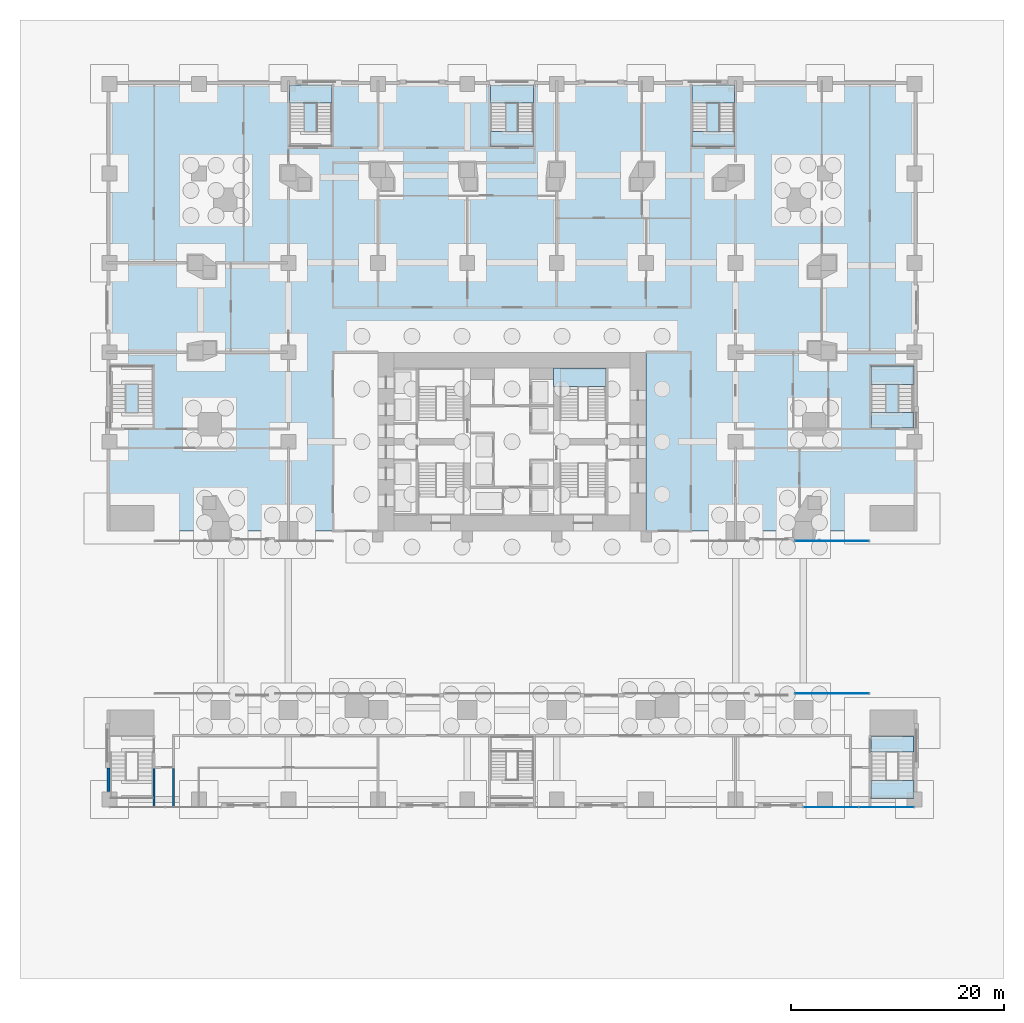
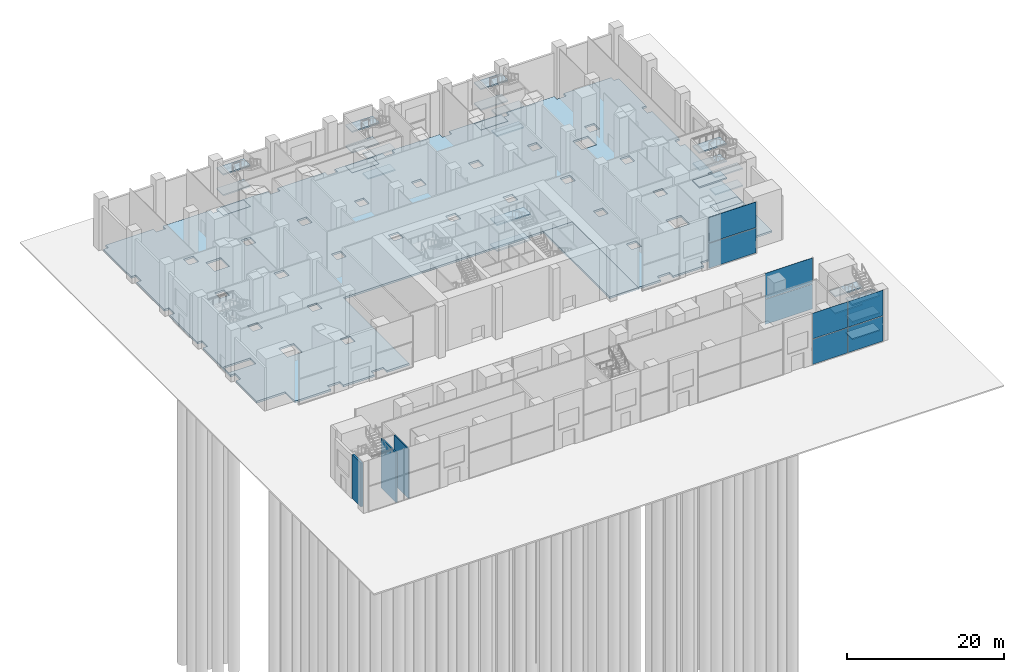
# One storey, part 12 of 31: 29 slabs, 8 plates, 3 walls, 9 elements without a shape of their own.
"""IFC4 building model written with IfcOpenShell, lengths in metres."""

from ifc_helpers import new_model, si_unit, direction, frame, frame_2d, origin, origin_2d, place, context, subcontext, project, spatial, polyline, rectangle, outline, extrude, material, layer, layer_set, type_object, element, aggregate, save


model = new_model("IFC4")

# Units and contexts
model_context = context("Model", 3, precision=1e-05, world=origin(), true_north=direction((0.0, 1.0)))
body_context = subcontext(model_context, "Body", "Model", "MODEL_VIEW")
ifc_project = project(units=[si_unit("LENGTHUNIT", "METRE"), si_unit("AREAUNIT", "SQUARE_METRE"), si_unit("VOLUMEUNIT", "CUBIC_METRE"), si_unit("PLANEANGLEUNIT", "RADIAN"), si_unit("MASSUNIT", "GRAM", prefix="KILO")], contexts=[model_context])

# Site, building, storey
site_placement = place(None, origin())
site = spatial("IfcSite", under=ifc_project, at=site_placement, CompositionType="ELEMENT")
building_placement = place(site_placement, origin())
building = spatial("IfcBuilding", under=site, at=building_placement, Name="Marenta Gate Hotel Tower", CompositionType="ELEMENT")
storey_placement = place(building_placement, origin())
storey = spatial("IfcBuildingStorey", under=building, at=storey_placement, Name="L00", CompositionType="ELEMENT", Elevation=0.0)

# Slab
ifc_material_1 = material(Name="Concrete C40", Category="concrete")
ifc_layer_1 = layer(ifc_material_1, 0.300048828125)
ifc_layer_set_1 = layer_set([ifc_layer_1], Name="Concrete C40")
slab_type_1 = type_object("IfcSlabType", Name="Core floor slab 300", PredefinedType="FLOOR", material=ifc_layer_set_1)
slab_1_placement = place(storey_placement, frame((0.0, 0.0, -0.300048828125)))
element("IfcSlab", 1, at=slab_1_placement, inside=storey, type_object=slab_type_1, Name="L00-CF-1", PredefinedType="FLOOR", context=body_context, shape_type="SweptSolid", body=[
    extrude(outline(polyline([(12.60009765625, 0.0), (12.60009765625, 16.800048828125), (16.800048828125, 16.800048828125), (16.800048828125, 0.0), (12.60009765625, 0.0)])), origin(), (0.0, 0.0, 1.0), 0.300048828125),
])

# Stair, slabs
ifc_material_2 = material(Name="Concrete C40", Category="concrete")
stair_type_1 = type_object("IfcStairType", Name="Core exit stair 1700 wide", PredefinedType="HALF_TURN_STAIR", material=ifc_material_2)
stair_1_placement = place(storey_placement, origin())
stair_1 = element("IfcStair", 2, at=stair_1_placement, inside=storey, type_object=stair_type_1, Name="Exit stair 4", PredefinedType="HALF_TURN_STAIR")
ifc_material_3 = material(Name="Concrete C40", Category="concrete")
ifc_layer_2 = layer(ifc_material_3, 0.199951171875)
ifc_layer_set_2 = layer_set([ifc_layer_2], Name="Concrete C40")
slab_type_2 = type_object("IfcSlabType", Name="Core stair landing 200", PredefinedType="LANDING", material=ifc_layer_set_2)
slab_2_placement = place(storey_placement, frame((0.0, 0.0, 1.800048828125)))
slab_2 = element("IfcSlab", 3, at=slab_2_placement, type_object=slab_type_2, Name="SL-200 ST4 landing 1", PredefinedType="LANDING", context=body_context, shape_type="SweptSolid", body=[
    extrude(outline(polyline([(3.89990234375, 13.590087890625), (8.85009765625, 13.590087890625), (8.85009765625, 15.300048828125), (3.89990234375, 15.300048828125), (3.89990234375, 13.590087890625)])), origin(), (0.0, 0.0, 1.0), 0.199951171875),
])
slab_3_placement = place(storey_placement, frame((0.0, 0.0, 5.800048828125)))
slab_3 = element("IfcSlab", 4, at=slab_3_placement, type_object=slab_type_2, Name="SL-200 ST4 landing 3", PredefinedType="LANDING", context=body_context, shape_type="SweptSolid", body=[
    extrude(outline(polyline([(3.89990234375, 13.590087890625), (8.85009765625, 13.590087890625), (8.85009765625, 15.300048828125), (3.89990234375, 15.300048828125), (3.89990234375, 13.590087890625)])), origin(), (0.0, 0.0, 1.0), 0.199951171875),
])
aggregate(stair_1, [slab_2, slab_3])

ifc_material_4 = material(Name="Concrete C40", Category="concrete")
stair_type_2 = type_object("IfcStairType", Name="Podium exit stair 1430 wide", PredefinedType="HALF_TURN_STAIR", material=ifc_material_4)
stair_2_placement = place(storey_placement, origin())
stair_2 = element("IfcStair", 5, at=stair_2_placement, inside=storey, type_object=stair_type_2, Name="Podium exit stair 2", PredefinedType="HALF_TURN_STAIR")
slab_4_placement = place(storey_placement, frame((0.0, 0.0, 1.13330078125)))
slab_4 = element("IfcSlab", 6, at=slab_4_placement, type_object=slab_type_2, Name="SL-200 PX2 landing 1", PredefinedType="LANDING", context=body_context, shape_type="SweptSolid", body=[
    extrude(outline(polyline([(33.699951171875, -25.10009765625), (37.739990234375, -25.10009765625), (37.739990234375, -23.389892578125), (33.699951171875, -23.389892578125), (33.699951171875, -25.10009765625)])), origin(), (0.0, 0.0, 1.0), 0.199951171875),
])
slab_5_placement = place(storey_placement, frame((0.0, 0.0, 2.466552734375)))
slab_5 = element("IfcSlab", 7, at=slab_5_placement, type_object=slab_type_2, Name="SL-200 PX2 landing 2", PredefinedType="LANDING", context=body_context, shape_type="SweptSolid", body=[
    extrude(outline(polyline([(33.699951171875, -20.72998046875), (37.739990234375, -20.72998046875), (37.739990234375, -19.300048828125), (33.699951171875, -19.300048828125), (33.699951171875, -20.72998046875)])), origin(), (0.0, 0.0, 1.0), 0.2001953125),
])
slab_6_placement = place(storey_placement, frame((0.0, 0.0, 3.800048828125)))
slab_6 = element("IfcSlab", 8, at=slab_6_placement, type_object=slab_type_2, Name="SL-200 PX2 landing 3", PredefinedType="LANDING", context=body_context, shape_type="SweptSolid", body=[
    extrude(outline(polyline([(33.699951171875, -25.10009765625), (37.739990234375, -25.10009765625), (37.739990234375, -23.389892578125), (33.699951171875, -23.389892578125), (33.699951171875, -25.10009765625)])), origin(), (0.0, 0.0, 1.0), 0.199951171875),
])
slab_7_placement = place(storey_placement, frame((0.0, 0.0, 5.13330078125)))
slab_7 = element("IfcSlab", 9, at=slab_7_placement, type_object=slab_type_2, Name="SL-200 PX2 landing 4", PredefinedType="LANDING", context=body_context, shape_type="SweptSolid", body=[
    extrude(outline(polyline([(33.699951171875, -20.72998046875), (37.739990234375, -20.72998046875), (37.739990234375, -19.300048828125), (33.699951171875, -19.300048828125), (33.699951171875, -20.72998046875)])), origin(), (0.0, 0.0, 1.0), 0.199951171875),
])
slab_8_placement = place(storey_placement, frame((0.0, 0.0, 6.466552734375)))
slab_8 = element("IfcSlab", 10, at=slab_8_placement, type_object=slab_type_2, Name="SL-200 PX2 landing 5", PredefinedType="LANDING", context=body_context, shape_type="SweptSolid", body=[
    extrude(outline(polyline([(33.699951171875, -25.10009765625), (37.739990234375, -25.10009765625), (37.739990234375, -23.389892578125), (33.699951171875, -23.389892578125), (33.699951171875, -25.10009765625)])), origin(), (0.0, 0.0, 1.0), 0.2001953125),
])
aggregate(stair_2, [slab_4, slab_5, slab_6, slab_7, slab_8])

stair_3_placement = place(storey_placement, origin())
stair_3 = element("IfcStair", 11, at=stair_3_placement, inside=storey, type_object=stair_type_2, Name="Podium exit stair 3", PredefinedType="HALF_TURN_STAIR")
slab_9_placement = place(storey_placement, frame((0.0, 0.0, 3.0)))
slab_9 = element("IfcSlab", 12, at=slab_9_placement, type_object=slab_type_2, Name="SL-200 PX3 landing 2", PredefinedType="LANDING", context=body_context, shape_type="SweptSolid", body=[
    extrude(outline(polyline([(-20.89990234375, 40.18505859375), (-16.89990234375, 40.18505859375), (-16.89990234375, 41.89990234375), (-20.89990234375, 41.89990234375), (-20.89990234375, 40.18505859375)])), origin(), (0.0, 0.0, 1.0), 0.199951171875),
])
slab_10_placement = place(storey_placement, frame((0.0, 0.0, 6.199951171875)))
slab_10 = element("IfcSlab", 13, at=slab_10_placement, type_object=slab_type_2, Name="SL-200 PX3 landing 4", PredefinedType="LANDING", context=body_context, shape_type="SweptSolid", body=[
    extrude(outline(polyline([(-20.89990234375, 40.18505859375), (-16.89990234375, 40.18505859375), (-16.89990234375, 41.89990234375), (-20.89990234375, 41.89990234375), (-20.89990234375, 40.18505859375)])), origin(), (0.0, 0.0, 1.0), 0.199951171875),
])
aggregate(stair_3, [slab_9, slab_10])

stair_4_placement = place(storey_placement, origin())
stair_4 = element("IfcStair", 14, at=stair_4_placement, inside=storey, type_object=stair_type_2, Name="Podium exit stair 4", PredefinedType="HALF_TURN_STAIR")
slab_11_placement = place(storey_placement, frame((0.0, 0.0, 1.39990234375)))
slab_11 = element("IfcSlab", 15, at=slab_11_placement, type_object=slab_type_2, Name="SL-200 PX4 landing 1", PredefinedType="LANDING", context=body_context, shape_type="SweptSolid", body=[
    extrude(outline(polyline([(16.89990234375, 36.10009765625), (20.89990234375, 36.10009765625), (20.89990234375, 37.530029296875), (16.89990234375, 37.530029296875), (16.89990234375, 36.10009765625)])), origin(), (0.0, 0.0, 1.0), 0.2001953125),
])
slab_12_placement = place(storey_placement, frame((0.0, 0.0, 3.0)))
slab_12 = element("IfcSlab", 16, at=slab_12_placement, type_object=slab_type_2, Name="SL-200 PX4 landing 2", PredefinedType="LANDING", context=body_context, shape_type="SweptSolid", body=[
    extrude(outline(polyline([(16.89990234375, 40.18505859375), (20.89990234375, 40.18505859375), (20.89990234375, 41.89990234375), (16.89990234375, 41.89990234375), (16.89990234375, 40.18505859375)])), origin(), (0.0, 0.0, 1.0), 0.199951171875),
])
slab_13_placement = place(storey_placement, frame((0.0, 0.0, 4.60009765625)))
slab_13 = element("IfcSlab", 17, at=slab_13_placement, type_object=slab_type_2, Name="SL-200 PX4 landing 3", PredefinedType="LANDING", context=body_context, shape_type="SweptSolid", body=[
    extrude(outline(polyline([(16.89990234375, 36.10009765625), (20.89990234375, 36.10009765625), (20.89990234375, 37.530029296875), (16.89990234375, 37.530029296875), (16.89990234375, 36.10009765625)])), origin(), (0.0, 0.0, 1.0), 0.199951171875),
])
slab_14_placement = place(storey_placement, frame((0.0, 0.0, 6.199951171875)))
slab_14 = element("IfcSlab", 18, at=slab_14_placement, type_object=slab_type_2, Name="SL-200 PX4 landing 4", PredefinedType="LANDING", context=body_context, shape_type="SweptSolid", body=[
    extrude(outline(polyline([(16.89990234375, 40.18505859375), (20.89990234375, 40.18505859375), (20.89990234375, 41.89990234375), (16.89990234375, 41.89990234375), (16.89990234375, 40.18505859375)])), origin(), (0.0, 0.0, 1.0), 0.199951171875),
])
aggregate(stair_4, [slab_11, slab_12, slab_13, slab_14])

stair_5_placement = place(storey_placement, origin())
stair_5 = element("IfcStair", 19, at=stair_5_placement, inside=storey, type_object=stair_type_2, Name="Podium exit stair 7", PredefinedType="HALF_TURN_STAIR")
slab_15_placement = place(storey_placement, frame((0.0, 0.0, 1.13330078125)))
slab_15 = element("IfcSlab", 20, at=slab_15_placement, type_object=slab_type_2, Name="SL-200 PX7 landing 1", PredefinedType="LANDING", context=body_context, shape_type="SweptSolid", body=[
    extrude(outline(polyline([(33.699951171875, 13.7900390625), (37.739990234375, 13.7900390625), (37.739990234375, 15.5), (33.699951171875, 15.5), (33.699951171875, 13.7900390625)])), origin(), (0.0, 0.0, 1.0), 0.199951171875),
])
slab_16_placement = place(storey_placement, frame((0.0, 0.0, 2.466552734375)))
slab_16 = element("IfcSlab", 21, at=slab_16_placement, type_object=slab_type_2, Name="SL-200 PX7 landing 2", PredefinedType="LANDING", context=body_context, shape_type="SweptSolid", body=[
    extrude(outline(polyline([(33.699951171875, 9.699951171875), (37.739990234375, 9.699951171875), (37.739990234375, 11.1298828125), (33.699951171875, 11.1298828125), (33.699951171875, 9.699951171875)])), origin(), (0.0, 0.0, 1.0), 0.2001953125),
])
slab_17_placement = place(storey_placement, frame((0.0, 0.0, 3.800048828125)))
slab_17 = element("IfcSlab", 22, at=slab_17_placement, type_object=slab_type_2, Name="SL-200 PX7 landing 3", PredefinedType="LANDING", context=body_context, shape_type="SweptSolid", body=[
    extrude(outline(polyline([(33.699951171875, 13.7900390625), (37.739990234375, 13.7900390625), (37.739990234375, 15.5), (33.699951171875, 15.5), (33.699951171875, 13.7900390625)])), origin(), (0.0, 0.0, 1.0), 0.199951171875),
])
slab_18_placement = place(storey_placement, frame((0.0, 0.0, 5.13330078125)))
slab_18 = element("IfcSlab", 23, at=slab_18_placement, type_object=slab_type_2, Name="SL-200 PX7 landing 4", PredefinedType="LANDING", context=body_context, shape_type="SweptSolid", body=[
    extrude(outline(polyline([(33.699951171875, 9.699951171875), (37.739990234375, 9.699951171875), (37.739990234375, 11.1298828125), (33.699951171875, 11.1298828125), (33.699951171875, 9.699951171875)])), origin(), (0.0, 0.0, 1.0), 0.199951171875),
])
slab_19_placement = place(storey_placement, frame((0.0, 0.0, 6.466552734375)))
slab_19 = element("IfcSlab", 24, at=slab_19_placement, type_object=slab_type_2, Name="SL-200 PX7 landing 5", PredefinedType="LANDING", context=body_context, shape_type="SweptSolid", body=[
    extrude(outline(polyline([(33.699951171875, 13.7900390625), (37.739990234375, 13.7900390625), (37.739990234375, 15.5), (33.699951171875, 15.5), (33.699951171875, 13.7900390625)])), origin(), (0.0, 0.0, 1.0), 0.2001953125),
])
aggregate(stair_5, [slab_15, slab_16, slab_17, slab_18, slab_19])

stair_6_placement = place(storey_placement, origin())
stair_6 = element("IfcStair", 25, at=stair_6_placement, inside=storey, type_object=stair_type_2, Name="Podium exit stair 8", PredefinedType="HALF_TURN_STAIR")
slab_20_placement = place(storey_placement, frame((0.0, 0.0, 1.39990234375)))
slab_20 = element("IfcSlab", 26, at=slab_20_placement, type_object=slab_type_2, Name="SL-200 PX8 landing 1", PredefinedType="LANDING", context=body_context, shape_type="SweptSolid", body=[
    extrude(outline(polyline([(-2.0, 36.10009765625), (2.0, 36.10009765625), (2.0, 37.530029296875), (-2.0, 37.530029296875), (-2.0, 36.10009765625)])), origin(), (0.0, 0.0, 1.0), 0.2001953125),
])
slab_21_placement = place(storey_placement, frame((0.0, 0.0, 3.0)))
slab_21 = element("IfcSlab", 27, at=slab_21_placement, type_object=slab_type_2, Name="SL-200 PX8 landing 2", PredefinedType="LANDING", context=body_context, shape_type="SweptSolid", body=[
    extrude(outline(polyline([(-2.0, 40.18505859375), (2.0, 40.18505859375), (2.0, 41.89990234375), (-2.0, 41.89990234375), (-2.0, 40.18505859375)])), origin(), (0.0, 0.0, 1.0), 0.199951171875),
])
slab_22_placement = place(storey_placement, frame((0.0, 0.0, 4.60009765625)))
slab_22 = element("IfcSlab", 28, at=slab_22_placement, type_object=slab_type_2, Name="SL-200 PX8 landing 3", PredefinedType="LANDING", context=body_context, shape_type="SweptSolid", body=[
    extrude(outline(polyline([(-2.0, 36.10009765625), (2.0, 36.10009765625), (2.0, 37.530029296875), (-2.0, 37.530029296875), (-2.0, 36.10009765625)])), origin(), (0.0, 0.0, 1.0), 0.199951171875),
])
slab_23_placement = place(storey_placement, frame((0.0, 0.0, 6.199951171875)))
slab_23 = element("IfcSlab", 29, at=slab_23_placement, type_object=slab_type_2, Name="SL-200 PX8 landing 4", PredefinedType="LANDING", context=body_context, shape_type="SweptSolid", body=[
    extrude(outline(polyline([(-2.0, 40.18505859375), (2.0, 40.18505859375), (2.0, 41.89990234375), (-2.0, 41.89990234375), (-2.0, 40.18505859375)])), origin(), (0.0, 0.0, 1.0), 0.199951171875),
])
aggregate(stair_6, [slab_20, slab_21, slab_22, slab_23])

# Curtain wall, plates
ifc_material_5 = material(Name="Tinted insulated glass in bronze anodised frame", Category="glass")
ifc_layer_3 = layer(ifc_material_5, 0.1298828125)
ifc_layer_set_3 = layer_set([ifc_layer_3], Name="Tinted insulated glass in bronze anodised frame")
curtain_wall_type_1 = type_object("IfcCurtainWallType", Name="Podium shopfront glazing CW5", PredefinedType="NOTDEFINED", material=ifc_layer_set_3)
curtain_wall_1_placement = place(storey_placement, origin())
curtain_wall_1 = element("IfcCurtainWall", 30, at=curtain_wall_1_placement, inside=storey, type_object=curtain_wall_type_1, Name="CW5 run SB-S005", PredefinedType="NOTDEFINED")
ifc_material_6 = material(Name="Tinted insulated glass", Category="glass")
ifc_layer_4 = layer(ifc_material_6, 0.033935546875)
ifc_layer_set_4 = layer_set([ifc_layer_4], Name="Tinted insulated glass")
plate_type_1 = type_object("IfcPlateType", Name="Glass panel CW5 34 mm tinted insulated unit", PredefinedType="CURTAIN_PANEL", material=ifc_layer_set_4)
plate_1_placement = place(storey_placement, frame((29.945068359375, -25.9189453125, 0.080078125), z_axis=(0.0, 0.0, 1.0), x_axis=(1.0, 0.0, 0.0)))
plate_1 = element("IfcPlate", 31, at=plate_1_placement, type_object=plate_type_1, Name="CW5 panel 1.1", PredefinedType="CURTAIN_PANEL", context=body_context, shape_type="SweptSolid", body=[
    extrude(rectangle(XDim=5.1298828125, YDim=0.033935546875, at=origin_2d()), origin(), (0.0, 0.0, 1.0), 3.8798828125),
])
plate_2_placement = place(storey_placement, frame((29.945068359375, -25.9189453125, 4.0400390625), z_axis=(0.0, 0.0, 1.0), x_axis=(1.0, 0.0, 0.0)))
plate_2 = element("IfcPlate", 32, at=plate_2_placement, type_object=plate_type_1, Name="CW5 panel 1.2", PredefinedType="CURTAIN_PANEL", context=body_context, shape_type="SweptSolid", body=[
    extrude(rectangle(XDim=5.1298828125, YDim=0.033935546875, at=origin_2d()), origin(), (0.0, 0.0, 1.0), 3.9599609375),
])
plate_3_placement = place(storey_placement, frame((35.155029296875, -25.9189453125, 0.080078125), z_axis=(0.0, 0.0, 1.0), x_axis=(1.0, 0.0, 0.0)))
plate_3 = element("IfcPlate", 33, at=plate_3_placement, type_object=plate_type_1, Name="CW5 panel 2.1", PredefinedType="CURTAIN_PANEL", context=body_context, shape_type="SweptSolid", body=[
    extrude(rectangle(XDim=5.1298828125, YDim=0.033935546875, at=origin_2d()), origin(), (0.0, 0.0, 1.0), 3.8798828125),
])
plate_4_placement = place(storey_placement, frame((35.155029296875, -25.9189453125, 4.0400390625), z_axis=(0.0, 0.0, 1.0), x_axis=(1.0, 0.0, 0.0)))
plate_4 = element("IfcPlate", 34, at=plate_4_placement, type_object=plate_type_1, Name="CW5 panel 2.2", PredefinedType="CURTAIN_PANEL", context=body_context, shape_type="SweptSolid", body=[
    extrude(rectangle(XDim=5.1298828125, YDim=0.033935546875, at=origin_2d()), origin(), (0.0, 0.0, 1.0), 3.9599609375),
])
aggregate(curtain_wall_1, [plate_1, plate_2, plate_3, plate_4])

curtain_wall_2_placement = place(storey_placement, origin())
curtain_wall_2 = element("IfcCurtainWall", 35, at=curtain_wall_2_placement, inside=storey, type_object=curtain_wall_type_1, Name="CW5 run SB-N000", PredefinedType="NOTDEFINED")
plate_5_placement = place(storey_placement, frame((30.050048828125, -15.255859375, 0.080078125), z_axis=(0.0, 0.0, 1.0), x_axis=(-1.0, 0.0, 0.0)))
plate_5 = element("IfcPlate", 36, at=plate_5_placement, type_object=plate_type_1, Name="CW5 panel 1.1", PredefinedType="CURTAIN_PANEL", context=body_context, shape_type="SweptSolid", body=[
    extrude(rectangle(XDim=6.93994140625, YDim=0.033935546875, at=origin_2d()), origin(), (0.0, 0.0, 1.0), 3.8798828125),
])
plate_6_placement = place(storey_placement, frame((30.050048828125, -15.255859375, 4.0400390625), z_axis=(0.0, 0.0, 1.0), x_axis=(-1.0, 0.0, 0.0)))
plate_6 = element("IfcPlate", 37, at=plate_6_placement, type_object=plate_type_1, Name="CW5 panel 1.2", PredefinedType="CURTAIN_PANEL", context=body_context, shape_type="SweptSolid", body=[
    extrude(rectangle(XDim=6.93994140625, YDim=0.033935546875, at=origin_2d()), origin(), (0.0, 0.0, 1.0), 3.9599609375),
])
aggregate(curtain_wall_2, [plate_5, plate_6])

ifc_material_7 = material(Name="Tinted insulated glass in bronze anodised frame", Category="glass")
ifc_layer_5 = layer(ifc_material_7, 0.139892578125)
ifc_layer_set_5 = layer_set([ifc_layer_5], Name="Tinted insulated glass in bronze anodised frame")
curtain_wall_type_2 = type_object("IfcCurtainWallType", Name="Hotel lobby glazing CW6", PredefinedType="NOTDEFINED", material=ifc_layer_set_5)
curtain_wall_3_placement = place(storey_placement, origin())
curtain_wall_3 = element("IfcCurtainWall", 38, at=curtain_wall_3_placement, inside=storey, type_object=curtain_wall_type_2, Name="CW6 run NB-S101", PredefinedType="NOTDEFINED")
ifc_material_8 = material(Name="Tinted insulated glass", Category="glass")
ifc_layer_6 = layer(ifc_material_8, 0.0439453125)
ifc_layer_set_6 = layer_set([ifc_layer_6], Name="Tinted insulated glass")
plate_type_2 = type_object("IfcPlateType", Name="Glass panel CW6 44 mm tinted insulated unit", PredefinedType="CURTAIN_PANEL", material=ifc_layer_set_6)
plate_7_placement = place(storey_placement, frame((30.050048828125, -0.924072265625, 0.099853515625), z_axis=(0.0, 0.0, 1.0), x_axis=(1.0, 0.0, 0.0)))
plate_7 = element("IfcPlate", 39, at=plate_7_placement, type_object=plate_type_2, Name="CW6 panel 1.1", PredefinedType="CURTAIN_PANEL", context=body_context, shape_type="SweptSolid", body=[
    extrude(rectangle(XDim=6.89990234375, YDim=0.0439453125, at=origin_2d()), origin(), (0.0, 0.0, 1.0), 3.85009765625),
])
plate_8_placement = place(storey_placement, frame((30.050048828125, -0.924072265625, 4.0498046875), z_axis=(0.0, 0.0, 1.0), x_axis=(1.0, 0.0, 0.0)))
plate_8 = element("IfcPlate", 40, at=plate_8_placement, type_object=plate_type_2, Name="CW6 panel 1.2", PredefinedType="CURTAIN_PANEL", context=body_context, shape_type="SweptSolid", body=[
    extrude(rectangle(XDim=6.89990234375, YDim=0.0439453125, at=origin_2d()), origin(), (0.0, 0.0, 1.0), 3.949951171875),
])
aggregate(curtain_wall_3, [plate_7, plate_8])

# Slabs
ifc_material_9 = material(Name="Concrete C40", Category="concrete")
ifc_layer_7 = layer(ifc_material_9, 0.300048828125)
ifc_layer_set_7 = layer_set([ifc_layer_7], Name="Concrete C40")
slab_type_3 = type_object("IfcSlabType", Name="Ground slab 300 C40", PredefinedType="BASESLAB", material=ifc_layer_set_7)
slab_24_placement = place(storey_placement, frame((0.0, 0.0, -0.300048828125)))
element("IfcSlab", 41, at=slab_24_placement, inside=storey, type_object=slab_type_3, Name="PS3 L00-PSL-1", PredefinedType="BASESLAB", context=body_context, shape_type="SweptSolid", body=[
    extrude(outline(polyline([(-11.89990234375, 42.0), (-4.89990234375, 42.0), (-4.89990234375, 41.300048828125), (-3.5, 41.300048828125), (-3.5, 42.0), (3.5, 42.0), (3.5, 41.300048828125), (4.89990234375, 41.300048828125), (4.89990234375, 42.0), (11.89990234375, 42.0), (11.89990234375, 41.300048828125), (13.300048828125, 41.300048828125), (13.300048828125, 42.0), (20.300048828125, 42.0), (20.300048828125, 41.89990234375), (16.89990234375, 41.89990234375), (16.89990234375, 40.18505859375), (20.89990234375, 40.18505859375), (20.89990234375, 41.300048828125), (21.699951171875, 41.300048828125), (21.699951171875, 42.0), (28.699951171875, 42.0), (28.699951171875, 41.300048828125), (30.10009765625, 41.300048828125), (30.10009765625, 42.0), (37.10009765625, 42.0), (37.10009765625, 41.300048828125), (37.800048828125, 41.300048828125), (37.800048828125, 34.300048828125), (37.10009765625, 34.300048828125), (37.10009765625, 32.89990234375), (37.800048828125, 32.89990234375), (37.800048828125, 25.89990234375), (37.10009765625, 25.89990234375), (37.10009765625, 24.5), (37.800048828125, 24.5), (37.800048828125, 17.5), (37.10009765625, 17.5), (37.10009765625, 16.10009765625), (37.800048828125, 16.10009765625), (37.800048828125, 9.10009765625), (37.10009765625, 9.10009765625), (37.10009765625, 7.699951171875), (37.800048828125, 7.699951171875), (37.800048828125, 2.39990234375), (33.60009765625, 2.39990234375), (33.60009765625, 0.0), (28.262939453125, 0.0), (28.262939453125, 0.89990234375), (26.462890625, 0.89990234375), (26.462890625, 0.0), (21.89990234375, 0.0), (21.89990234375, 0.89990234375), (20.10009765625, 0.89990234375), (20.10009765625, 0.0), (16.800048828125, 0.0), (16.800048828125, 16.800048828125), (-16.800048828125, 16.800048828125), (-16.800048828125, 0.0), (-20.10009765625, 0.0), (-20.10009765625, 0.89990234375), (-21.89990234375, 0.89990234375), (-21.89990234375, 0.0), (-26.462890625, 0.0), (-26.462890625, 0.89990234375), (-28.262939453125, 0.89990234375), (-28.262939453125, 0.0), (-33.60009765625, 0.0), (-33.60009765625, 2.39990234375), (-37.800048828125, 2.39990234375), (-37.800048828125, 7.699951171875), (-37.10009765625, 7.699951171875), (-37.10009765625, 9.10009765625), (-37.800048828125, 9.10009765625), (-37.800048828125, 16.10009765625), (-37.10009765625, 16.10009765625), (-37.10009765625, 17.5), (-37.800048828125, 17.5), (-37.800048828125, 24.5), (-37.10009765625, 24.5), (-37.10009765625, 25.89990234375), (-37.800048828125, 25.89990234375), (-37.800048828125, 32.89990234375), (-37.10009765625, 32.89990234375), (-37.10009765625, 34.300048828125), (-37.800048828125, 34.300048828125), (-37.800048828125, 41.300048828125), (-37.10009765625, 41.300048828125), (-37.10009765625, 42.0), (-30.10009765625, 42.0), (-30.10009765625, 41.300048828125), (-28.699951171875, 41.300048828125), (-28.699951171875, 42.0), (-21.699951171875, 42.0), (-21.699951171875, 41.300048828125), (-20.89990234375, 41.300048828125), (-20.89990234375, 40.18505859375), (-16.89990234375, 40.18505859375), (-16.89990234375, 41.89990234375), (-20.300048828125, 41.89990234375), (-20.300048828125, 42.0), (-13.300048828125, 42.0), (-13.300048828125, 41.300048828125), (-11.89990234375, 41.300048828125), (-11.89990234375, 42.0)]), holes=[polyline([(30.419921875, 24.5), (30.419921875, 25.89990234375), (29.02001953125, 25.89990234375), (29.02001953125, 24.5), (30.419921875, 24.5)]), polyline([(29.02001953125, 16.10009765625), (30.419921875, 16.10009765625), (30.419921875, 17.5), (29.02001953125, 17.5), (29.02001953125, 16.10009765625)]), polyline([(30.10009765625, 32.89990234375), (30.10009765625, 34.300048828125), (28.699951171875, 34.300048828125), (28.699951171875, 32.89990234375), (30.10009765625, 32.89990234375)]), polyline([(29.5, 8.949951171875), (29.5, 11.14990234375), (27.300048828125, 11.14990234375), (27.300048828125, 8.949951171875), (29.5, 8.949951171875)]), polyline([(28.035400390625, 30.035400390625), (28.035400390625, 32.235595703125), (25.83544921875, 32.235595703125), (25.83544921875, 30.035400390625), (28.035400390625, 30.035400390625)]), polyline([(21.699951171875, 32.89990234375), (21.699951171875, 34.300048828125), (20.300048828125, 34.300048828125), (20.300048828125, 32.89990234375), (21.699951171875, 32.89990234375)]), polyline([(21.699951171875, 24.5), (21.699951171875, 25.89990234375), (20.300048828125, 25.89990234375), (20.300048828125, 24.5), (21.699951171875, 24.5)]), polyline([(21.699951171875, 16.10009765625), (21.699951171875, 17.5), (20.300048828125, 17.5), (20.300048828125, 16.10009765625), (21.699951171875, 16.10009765625)]), polyline([(21.699951171875, 7.699951171875), (21.699951171875, 9.10009765625), (20.300048828125, 9.10009765625), (20.300048828125, 7.699951171875), (21.699951171875, 7.699951171875)]), polyline([(11.89990234375, 33.219970703125), (13.300048828125, 33.219970703125), (13.300048828125, 34.6201171875), (11.89990234375, 34.6201171875), (11.89990234375, 33.219970703125)]), polyline([(13.300048828125, 24.5), (13.300048828125, 25.89990234375), (11.89990234375, 25.89990234375), (11.89990234375, 24.5), (13.300048828125, 24.5)]), polyline([(4.89990234375, 33.219970703125), (4.89990234375, 34.6201171875), (3.5, 34.6201171875), (3.5, 33.219970703125), (4.89990234375, 33.219970703125)]), polyline([(3.5, 24.5), (4.89990234375, 24.5), (4.89990234375, 25.89990234375), (3.5, 25.89990234375), (3.5, 24.5)]), polyline([(-3.5, 33.219970703125), (-3.5, 34.6201171875), (-4.89990234375, 34.6201171875), (-4.89990234375, 33.219970703125), (-3.5, 33.219970703125)]), polyline([(-3.5, 24.5), (-3.5, 25.89990234375), (-4.89990234375, 25.89990234375), (-4.89990234375, 24.5), (-3.5, 24.5)]), polyline([(-11.89990234375, 33.219970703125), (-11.89990234375, 34.6201171875), (-13.300048828125, 34.6201171875), (-13.300048828125, 33.219970703125), (-11.89990234375, 33.219970703125)]), polyline([(-11.89990234375, 24.5), (-11.89990234375, 25.89990234375), (-13.300048828125, 25.89990234375), (-13.300048828125, 24.5), (-11.89990234375, 24.5)]), polyline([(-20.300048828125, 32.89990234375), (-20.300048828125, 34.300048828125), (-21.699951171875, 34.300048828125), (-21.699951171875, 32.89990234375), (-20.300048828125, 32.89990234375)]), polyline([(-20.300048828125, 24.5), (-20.300048828125, 25.89990234375), (-21.699951171875, 25.89990234375), (-21.699951171875, 24.5), (-20.300048828125, 24.5)]), polyline([(-20.300048828125, 16.10009765625), (-20.300048828125, 17.5), (-21.699951171875, 17.5), (-21.699951171875, 16.10009765625), (-20.300048828125, 16.10009765625)]), polyline([(-20.300048828125, 7.699951171875), (-20.300048828125, 9.10009765625), (-21.699951171875, 9.10009765625), (-21.699951171875, 7.699951171875), (-20.300048828125, 7.699951171875)]), polyline([(-28.035400390625, 30.035400390625), (-25.83544921875, 30.035400390625), (-25.83544921875, 32.235595703125), (-28.035400390625, 32.235595703125), (-28.035400390625, 30.035400390625)]), polyline([(-27.300048828125, 8.949951171875), (-27.300048828125, 11.14990234375), (-29.5, 11.14990234375), (-29.5, 8.949951171875), (-27.300048828125, 8.949951171875)]), polyline([(-28.699951171875, 32.89990234375), (-28.699951171875, 34.300048828125), (-30.10009765625, 34.300048828125), (-30.10009765625, 32.89990234375), (-28.699951171875, 32.89990234375)]), polyline([(-29.02001953125, 16.10009765625), (-29.02001953125, 17.5), (-30.419921875, 17.5), (-30.419921875, 16.10009765625), (-29.02001953125, 16.10009765625)]), polyline([(-30.419921875, 24.5), (-29.02001953125, 24.5), (-29.02001953125, 25.89990234375), (-30.419921875, 25.89990234375), (-30.419921875, 24.5)]), polyline([(-37.699951171875, 9.699951171875), (-33.699951171875, 9.699951171875), (-33.699951171875, 11.1298828125), (-37.699951171875, 11.1298828125), (-37.699951171875, 9.699951171875)]), polyline([(33.699951171875, 11.1298828125), (33.699951171875, 9.699951171875), (37.699951171875, 9.699951171875), (37.699951171875, 11.1298828125), (33.699951171875, 11.1298828125)]), polyline([(2.0, 41.89990234375), (-2.0, 41.89990234375), (-2.0, 40.18505859375), (2.0, 40.18505859375), (2.0, 41.89990234375)])]), origin(), (0.0, 0.0, 1.0), 0.300048828125),
])
ifc_material_10 = material(Name="Concrete C40", Category="concrete")
ifc_layer_8 = layer(ifc_material_10, 0.300048828125)
ifc_layer_set_8 = layer_set([ifc_layer_8], Name="Concrete C40")
slab_type_4 = type_object("IfcSlabType", Name="Stair floor landing slab 300", PredefinedType="FLOOR", material=ifc_layer_set_8)
slab_25_placement = place(storey_placement, frame((0.0, 0.0, -0.300048828125)))
element("IfcSlab", 42, at=slab_25_placement, inside=storey, type_object=slab_type_4, Name="L00-CL-PX2-1", PredefinedType="FLOOR", context=body_context, shape_type="SweptSolid", body=[
    extrude(outline(polyline([(37.699951171875, -20.72998046875), (33.699951171875, -20.72998046875), (33.699951171875, -19.300048828125), (37.699951171875, -19.300048828125), (37.699951171875, -20.72998046875)])), origin(), (0.0, 0.0, 1.0), 0.300048828125),
])
slab_26_placement = place(storey_placement, frame((0.0, 0.0, -0.300048828125)))
element("IfcSlab", 43, at=slab_26_placement, inside=storey, type_object=slab_type_4, Name="L00-CL-PX3-1", PredefinedType="FLOOR", context=body_context, shape_type="SweptSolid", body=[
    extrude(outline(polyline([(-16.89990234375, 40.18505859375), (-20.89990234375, 40.18505859375), (-20.89990234375, 41.89990234375), (-16.89990234375, 41.89990234375), (-16.89990234375, 40.18505859375)])), origin(), (0.0, 0.0, 1.0), 0.300048828125),
])
slab_27_placement = place(storey_placement, frame((0.0, 0.0, -0.300048828125)))
element("IfcSlab", 44, at=slab_27_placement, inside=storey, type_object=slab_type_4, Name="L00-CL-PX4-1", PredefinedType="FLOOR", context=body_context, shape_type="SweptSolid", body=[
    extrude(outline(polyline([(20.89990234375, 40.18505859375), (16.89990234375, 40.18505859375), (16.89990234375, 41.89990234375), (20.89990234375, 41.89990234375), (20.89990234375, 40.18505859375)])), origin(), (0.0, 0.0, 1.0), 0.300048828125),
])
slab_28_placement = place(storey_placement, frame((0.0, 0.0, -0.300048828125)))
element("IfcSlab", 45, at=slab_28_placement, inside=storey, type_object=slab_type_4, Name="L00-CL-PX7-1", PredefinedType="FLOOR", context=body_context, shape_type="SweptSolid", body=[
    extrude(outline(polyline([(37.699951171875, 9.699951171875), (33.699951171875, 9.699951171875), (33.699951171875, 11.1298828125), (37.699951171875, 11.1298828125), (37.699951171875, 9.699951171875)])), origin(), (0.0, 0.0, 1.0), 0.300048828125),
])
slab_29_placement = place(storey_placement, frame((0.0, 0.0, -0.300048828125)))
element("IfcSlab", 46, at=slab_29_placement, inside=storey, type_object=slab_type_4, Name="L00-CL-PX8-1", PredefinedType="FLOOR", context=body_context, shape_type="SweptSolid", body=[
    extrude(outline(polyline([(2.0, 40.18505859375), (-2.0, 40.18505859375), (-2.0, 41.89990234375), (2.0, 41.89990234375), (2.0, 40.18505859375)])), origin(), (0.0, 0.0, 1.0), 0.300048828125),
])

# Walls
ifc_material_11 = material(Name="Concrete C40 board-marked", Category="concrete")
ifc_layer_9 = layer(ifc_material_11, 0.300048828125)
ifc_layer_set_9 = layer_set([ifc_layer_9], Name="Concrete C40 board-marked")
wall_type_1 = type_object("IfcWallType", Name="Board-marked concrete wall 300 mm", PredefinedType="NOTDEFINED", material=ifc_layer_set_9)
wall_1_placement = place(storey_placement, frame((-37.889892578125, -22.25, 0.0), z_axis=(0.0, 0.0, 1.0), x_axis=(0.0, -1.0, 0.0)))
element("IfcWall", 47, at=wall_1_placement, inside=storey, type_object=wall_type_1, Name="L00-CLD-SB-W001", PredefinedType="NOTDEFINED", context=body_context, shape_type="SweptSolid", body=[
    extrude(rectangle(XDim=2.2099609375, YDim=0.300048828125, at=frame_2d((1.10498046875, 0.0))), origin(), (0.0, 0.0, 1.0), 6.780029296875),
])
ifc_material_12 = material(Name="Concrete blockwork", Category="masonry")
ifc_layer_10 = layer(ifc_material_12, 0.199951171875)
ifc_layer_set_10 = layer_set([ifc_layer_10], Name="Concrete blockwork")
wall_type_2 = type_object("IfcWallType", Name="Room party wall 200 EI 120", PredefinedType="PARTITIONING", material=ifc_layer_set_10)
wall_2_placement = place(storey_placement, frame((-31.800048828125, -25.888916015625, 0.0), z_axis=(0.0, 0.0, 1.0), x_axis=(0.0, 1.0, 0.0)))
element("IfcWall", 48, at=wall_2_placement, inside=storey, type_object=wall_type_2, Name="L00-PTN-W068", PredefinedType="PARTITIONING", context=body_context, shape_type="SweptSolid", body=[
    extrude(rectangle(XDim=3.5888671875, YDim=0.199951171875, at=frame_2d((1.79443359375, 0.0))), origin(), (0.0, 0.0, 1.0), 7.679931640625),
])
ifc_material_13 = material(Name="Concrete blockwork", Category="masonry")
ifc_layer_11 = layer(ifc_material_13, 0.199951171875)
ifc_layer_set_11 = layer_set([ifc_layer_11], Name="Concrete blockwork")
wall_type_3 = type_object("IfcWallType", Name="Room party wall 200 REI 180", PredefinedType="PARTITIONING", material=ifc_layer_set_11)
wall_3_placement = place(storey_placement, frame((-33.60009765625, -25.888916015625, 0.0), z_axis=(0.0, 0.0, 1.0), x_axis=(0.0, 1.0, 0.0)))
element("IfcWall", 49, at=wall_3_placement, inside=storey, type_object=wall_type_3, Name="L00-PTN-W070", PredefinedType="PARTITIONING", context=body_context, shape_type="SweptSolid", body=[
    extrude(rectangle(XDim=3.788818359375, YDim=0.199951171875, at=frame_2d((1.89453125, 0.0))), origin(), (0.0, 0.0, 1.0), 7.679931640625),
])

save(model, "model.ifc")
